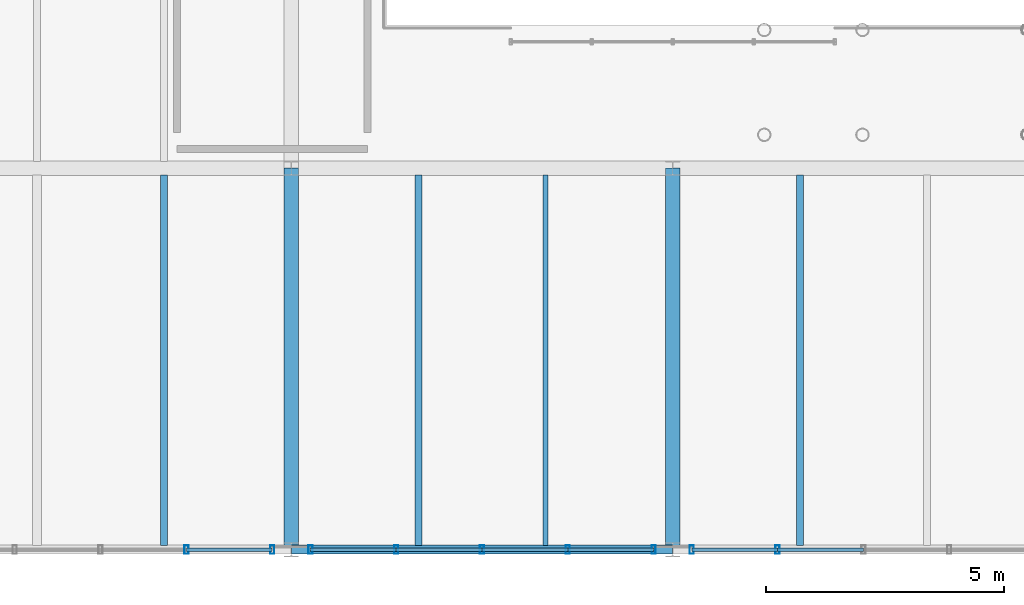
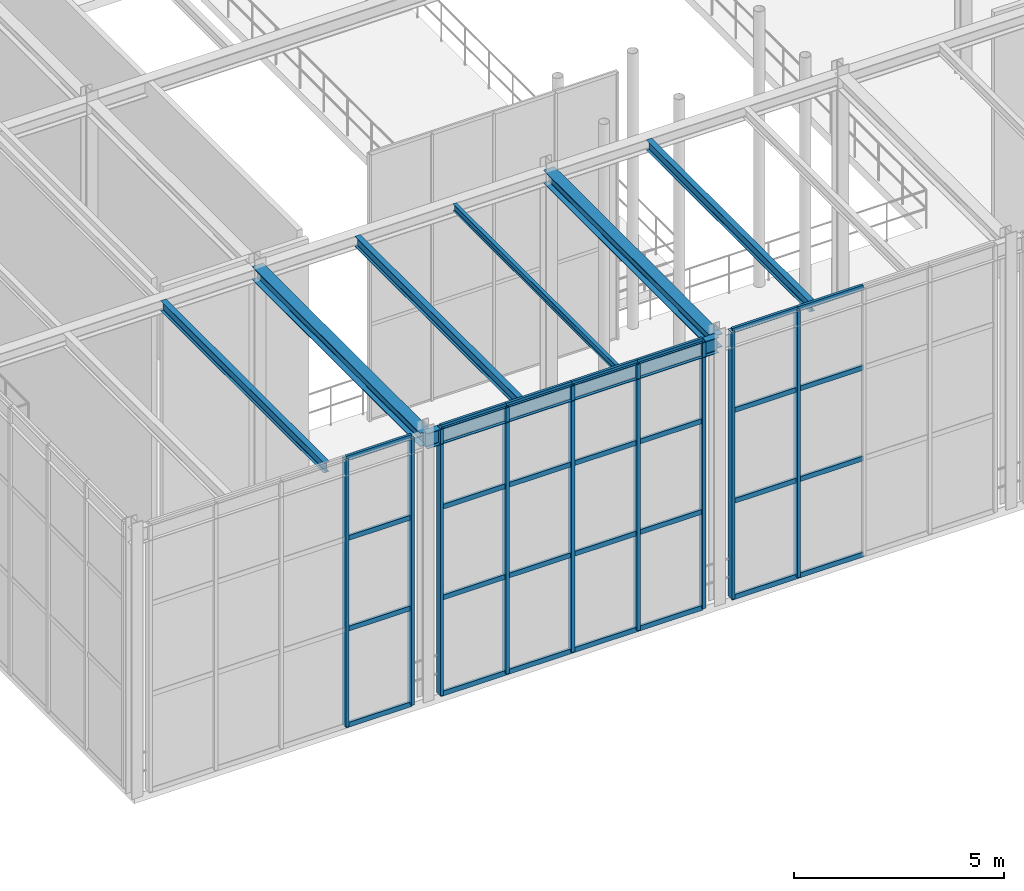
# One storey, part 37 of 138: 37 members, 7 beams, 3 elements without a shape of their own.
"""IFC4 building model written with IfcOpenShell, lengths in metres."""

from ifc_helpers import new_model, si_unit, direction, frame, origin, origin_2d, place, context, subcontext, project, spatial, hollow_rectangle, i_section, extrude, material, material_profile, profile_set, type_object, element, aggregate, save


model = new_model("IFC4")

# Units and contexts
model_context = context("Model", 3, precision=1e-05, world=origin(), true_north=direction((0.0, 1.0)))
body_context = subcontext(model_context, "Body", "Model", "MODEL_VIEW")
ifc_project = project(units=[si_unit("LENGTHUNIT", "METRE"), si_unit("AREAUNIT", "SQUARE_METRE"), si_unit("VOLUMEUNIT", "CUBIC_METRE"), si_unit("PLANEANGLEUNIT", "RADIAN"), si_unit("MASSUNIT", "GRAM", prefix="KILO")], contexts=[model_context])

# Site, building, storey
site_placement = place(None, origin())
site = spatial("IfcSite", under=ifc_project, at=site_placement, CompositionType="ELEMENT")
building_placement = place(site_placement, origin())
building = spatial("IfcBuilding", under=site, at=building_placement, Name="Sundkrona Museum", CompositionType="ELEMENT")
storey_placement = place(building_placement, frame((0.0, 0.0, 9.60009765625)))
storey = spatial("IfcBuildingStorey", under=building, at=storey_placement, Name="L02", CompositionType="ELEMENT", Elevation=9.60009765625)

# Beams
ifc_material_1 = material(Name="Steel S355J2", Category="steel")
ifc_material_profile_1 = material_profile(ifc_material_1, i_section(OverallWidth=0.300048828125, OverallDepth=0.389892578125, WebThickness=0.010986328125, FlangeThickness=0.01904296875, FilletRadius=0.027099609375, at=origin_2d()), Name="HEA 400")
ifc_profile_set_1 = profile_set([ifc_material_profile_1], Name="Steel S355J2")
beam_type_1 = type_object("IfcBeamType", Name="B-HEA400", PredefinedType="BEAM", material=ifc_profile_set_1)
for number, where, z_axis, x_axis, name in (
    (1, (88.0, 0.0, 7.544921875), (0.0, 1.0, 0.0), (-1.0, 0.0, 0.0), "L02 Girder Y-1313"),
    (2, (96.0, 0.0, 7.544921875), (0.0, 1.0, 0.0), (-1.0, 0.0, 0.0), "L02 Girder Y-1317"),
):
    element("IfcBeam", number, at=place(storey_placement, frame(where, z_axis=z_axis, x_axis=x_axis)), inside=storey, type_object=beam_type_1, Name=name, PredefinedType="BEAM", context=body_context, shape_type="SweptSolid", body=[
        extrude(i_section(OverallWidth=0.300048828125, OverallDepth=0.389892578125, WebThickness=0.010986328125, FlangeThickness=0.01904296875, FilletRadius=0.027099609375, at=origin_2d()), origin(), (0.0, 0.0, 1.0), 8.0),
    ])
ifc_material_profile_2 = material_profile(ifc_material_1, i_section(OverallWidth=0.10009765625, OverallDepth=0.199951171875, WebThickness=0.005615234375, FlangeThickness=0.008544921875, FilletRadius=0.011962890625, at=origin_2d()), Name="IPE 200")
ifc_profile_set_2 = profile_set([ifc_material_profile_2], Name="Steel S355J2")
beam_type_2 = type_object("IfcBeamType", Name="J-IPE200", PredefinedType="JOIST", material=ifc_profile_set_2)
beam_1_placement = place(storey_placement, frame((93.333251953125, 0.089111328125, 7.639892578125), z_axis=(0.0, 1.0, 0.0), x_axis=(-1.0, 0.0, 0.0)))
element("IfcBeam", 3, at=beam_1_placement, inside=storey, type_object=beam_type_2, Name="L02 Composite Joist 0840", PredefinedType="JOIST", context=body_context, shape_type="SweptSolid", body=[
    extrude(i_section(OverallWidth=0.10009765625, OverallDepth=0.199951171875, WebThickness=0.005615234375, FlangeThickness=0.008544921875, FilletRadius=0.011962890625, at=origin_2d()), origin(), (0.0, 0.0, 1.0), 7.766845703125),
])
ifc_material_profile_3 = material_profile(ifc_material_1, i_section(OverallWidth=0.14990234375, OverallDepth=0.300048828125, WebThickness=0.007080078125, FlangeThickness=0.0107421875, FilletRadius=0.014892578125, at=origin_2d()), Name="IPE 300")
ifc_profile_set_3 = profile_set([ifc_material_profile_3], Name="Steel S355J2")
beam_type_3 = type_object("IfcBeamType", Name="J-IPE300", PredefinedType="JOIST", material=ifc_profile_set_3)
for number, where, z_axis, x_axis, name in (
    (4, (85.333251953125, 0.089111328125, 7.58984375), (0.0, 1.0, 0.0), (-1.0, 0.0, 0.0), "L02 Composite Joist 0831"),
    (5, (90.666748046875, 0.089111328125, 7.58984375), (0.0, 1.0, 0.0), (-1.0, 0.0, 0.0), "L02 Composite Joist 0839"),
    (6, (98.666748046875, 0.089111328125, 7.58984375), (0.0, 1.0, 0.0), (-1.0, 0.0, 0.0), "L02 Composite Joist 0843"),
):
    element("IfcBeam", number, at=place(storey_placement, frame(where, z_axis=z_axis, x_axis=x_axis)), inside=storey, type_object=beam_type_3, Name=name, PredefinedType="JOIST", context=body_context, shape_type="SweptSolid", body=[
        extrude(i_section(OverallWidth=0.14990234375, OverallDepth=0.300048828125, WebThickness=0.007080078125, FlangeThickness=0.0107421875, FilletRadius=0.014892578125, at=origin_2d()), origin(), (0.0, 0.0, 1.0), 7.766845703125),
    ])

# Curtain wall, members
ifc_material_2 = material(Name="Unitised Aluminium-Steel and Ceramic-Clad Curtain Walling", Category="steel")
curtain_wall_type = type_object("IfcCurtainWallType", Name="CW-AT-72x74", PredefinedType="NOTDEFINED", material=ifc_material_2)
curtain_wall_1_placement = place(storey_placement, origin())
curtain_wall_1 = element("IfcCurtainWall", 7, at=curtain_wall_1_placement, inside=storey, type_object=curtain_wall_type, Name="L02 Curtain Wall CW-L02-043", PredefinedType="NOTDEFINED")
ifc_material_3 = material(Name="Aluminium EN AW-6060 T66", Category="aluminium")
ifc_material_profile_4 = material_profile(ifc_material_3, hollow_rectangle(XDim=0.090087890625, YDim=0.179931640625, WallThickness=0.00634765625, at=origin_2d()), Name="RHS 180x90x6.3")
ifc_profile_set_4 = profile_set([ifc_material_profile_4], Name="Aluminium EN AW-6060 T66")
member_type_1 = type_object("IfcMemberType", Name="ML-180", PredefinedType="MULLION", material=ifc_profile_set_4)
member_1_placement = place(storey_placement, frame((85.800048828125, 0.0, -0.004150390625), z_axis=(0.0, 0.0, 1.0), x_axis=(1.0, 0.0, 0.0)))
member_1 = element("IfcMember", 8, at=member_1_placement, type_object=member_type_1, Name="CW-L02-043 Mullion 04", PredefinedType="MULLION", context=body_context, shape_type="SweptSolid", body=[
    extrude(hollow_rectangle(XDim=0.090087890625, YDim=0.179931640625, WallThickness=0.00634765625, at=origin_2d()), origin(), (0.0, 0.0, 1.0), 7.748046875),
])
member_2_placement = place(storey_placement, frame((87.60009765625, 0.0, -0.004150390625), z_axis=(0.0, 0.0, 1.0), x_axis=(1.0, 0.0, 0.0)))
member_2 = element("IfcMember", 9, at=member_2_placement, type_object=member_type_1, Name="CW-L02-043 Mullion 05", PredefinedType="MULLION", context=body_context, shape_type="SweptSolid", body=[
    extrude(hollow_rectangle(XDim=0.090087890625, YDim=0.179931640625, WallThickness=0.00634765625, at=origin_2d()), origin(), (0.0, 0.0, 1.0), 7.748046875),
])

curtain_wall_2_placement = place(storey_placement, origin())
curtain_wall_2 = element("IfcCurtainWall", 10, at=curtain_wall_2_placement, inside=storey, type_object=curtain_wall_type, Name="L02 Curtain Wall CW-L02-044", PredefinedType="NOTDEFINED")
member_3_placement = place(storey_placement, frame((88.39990234375, 0.0, -0.004150390625), z_axis=(0.0, 0.0, 1.0), x_axis=(1.0, 0.0, 0.0)))
member_3 = element("IfcMember", 11, at=member_3_placement, type_object=member_type_1, Name="CW-L02-044 Mullion 01", PredefinedType="MULLION", context=body_context, shape_type="SweptSolid", body=[
    extrude(hollow_rectangle(XDim=0.090087890625, YDim=0.179931640625, WallThickness=0.00634765625, at=origin_2d()), origin(), (0.0, 0.0, 1.0), 7.748046875),
])
member_4_placement = place(storey_placement, frame((90.199951171875, 0.0, -0.004150390625), z_axis=(0.0, 0.0, 1.0), x_axis=(1.0, 0.0, 0.0)))
member_4 = element("IfcMember", 12, at=member_4_placement, type_object=member_type_1, Name="CW-L02-044 Mullion 02", PredefinedType="MULLION", context=body_context, shape_type="SweptSolid", body=[
    extrude(hollow_rectangle(XDim=0.090087890625, YDim=0.179931640625, WallThickness=0.00634765625, at=origin_2d()), origin(), (0.0, 0.0, 1.0), 7.748046875),
])
member_5_placement = place(storey_placement, frame((92.0, 0.0, -0.004150390625), z_axis=(0.0, 0.0, 1.0), x_axis=(1.0, 0.0, 0.0)))
member_5 = element("IfcMember", 13, at=member_5_placement, type_object=member_type_1, Name="CW-L02-044 Mullion 03", PredefinedType="MULLION", context=body_context, shape_type="SweptSolid", body=[
    extrude(hollow_rectangle(XDim=0.090087890625, YDim=0.179931640625, WallThickness=0.00634765625, at=origin_2d()), origin(), (0.0, 0.0, 1.0), 7.748046875),
])
member_6_placement = place(storey_placement, frame((93.800048828125, 0.0, -0.004150390625), z_axis=(0.0, 0.0, 1.0), x_axis=(1.0, 0.0, 0.0)))
member_6 = element("IfcMember", 14, at=member_6_placement, type_object=member_type_1, Name="CW-L02-044 Mullion 04", PredefinedType="MULLION", context=body_context, shape_type="SweptSolid", body=[
    extrude(hollow_rectangle(XDim=0.090087890625, YDim=0.179931640625, WallThickness=0.00634765625, at=origin_2d()), origin(), (0.0, 0.0, 1.0), 7.748046875),
])
member_7_placement = place(storey_placement, frame((95.60009765625, 0.0, -0.004150390625), z_axis=(0.0, 0.0, 1.0), x_axis=(1.0, 0.0, 0.0)))
member_7 = element("IfcMember", 15, at=member_7_placement, type_object=member_type_1, Name="CW-L02-044 Mullion 05", PredefinedType="MULLION", context=body_context, shape_type="SweptSolid", body=[
    extrude(hollow_rectangle(XDim=0.090087890625, YDim=0.179931640625, WallThickness=0.00634765625, at=origin_2d()), origin(), (0.0, 0.0, 1.0), 7.748046875),
])

curtain_wall_3_placement = place(storey_placement, origin())
curtain_wall_3 = element("IfcCurtainWall", 16, at=curtain_wall_3_placement, inside=storey, type_object=curtain_wall_type, Name="L02 Curtain Wall CW-L02-045", PredefinedType="NOTDEFINED")
member_8_placement = place(storey_placement, frame((96.39990234375, 0.0, -0.004150390625), z_axis=(0.0, 0.0, 1.0), x_axis=(1.0, 0.0, 0.0)))
member_8 = element("IfcMember", 17, at=member_8_placement, type_object=member_type_1, Name="CW-L02-045 Mullion 01", PredefinedType="MULLION", context=body_context, shape_type="SweptSolid", body=[
    extrude(hollow_rectangle(XDim=0.090087890625, YDim=0.179931640625, WallThickness=0.00634765625, at=origin_2d()), origin(), (0.0, 0.0, 1.0), 7.748046875),
])
member_9_placement = place(storey_placement, frame((98.199951171875, 0.0, -0.004150390625), z_axis=(0.0, 0.0, 1.0), x_axis=(1.0, 0.0, 0.0)))
member_9 = element("IfcMember", 18, at=member_9_placement, type_object=member_type_1, Name="CW-L02-045 Mullion 02", PredefinedType="MULLION", context=body_context, shape_type="SweptSolid", body=[
    extrude(hollow_rectangle(XDim=0.090087890625, YDim=0.179931640625, WallThickness=0.00634765625, at=origin_2d()), origin(), (0.0, 0.0, 1.0), 7.748046875),
])

# Beam
ifc_material_profile_5 = material_profile(ifc_material_1, i_section(OverallWidth=0.18994140625, OverallDepth=0.449951171875, WebThickness=0.009521484375, FlangeThickness=0.0146484375, FilletRadius=0.02099609375, at=origin_2d()), Name="IPE 450")
ifc_profile_set_5 = profile_set([ifc_material_profile_5], Name="Steel S355J2")
beam_type_4 = type_object("IfcBeamType", Name="SP-IPE450", PredefinedType="SPANDREL", material=ifc_profile_set_5)
beam_2_placement = place(storey_placement, frame((88.0, 0.0, 7.514892578125), z_axis=(1.0, 0.0, 0.0), x_axis=(0.0, 1.0, 0.0)))
element("IfcBeam", 19, at=beam_2_placement, inside=storey, type_object=beam_type_4, Name="L02 Girder X-1123", PredefinedType="SPANDREL", context=body_context, shape_type="SweptSolid", body=[
    extrude(i_section(OverallWidth=0.18994140625, OverallDepth=0.449951171875, WebThickness=0.009521484375, FlangeThickness=0.0146484375, FilletRadius=0.02099609375, at=origin_2d()), origin(), (0.0, 0.0, 1.0), 8.0),
])

# Member
ifc_material_profile_6 = material_profile(ifc_material_3, hollow_rectangle(XDim=0.070068359375, YDim=0.139892578125, WallThickness=0.0048828125, at=origin_2d()), Name="RHS 140x70x5.0")
ifc_profile_set_6 = profile_set([ifc_material_profile_6], Name="Aluminium EN AW-6060 T66")
member_type_2 = type_object("IfcMemberType", Name="TR-140", PredefinedType="USERDEFINED", material=ifc_profile_set_6)
member_10_placement = place(storey_placement, frame((85.800048828125, 0.0, -0.004150390625), z_axis=(1.0, 0.0, 0.0), x_axis=(0.0, 1.0, 0.0)))
member_10 = element("IfcMember", 20, at=member_10_placement, type_object=member_type_2, Name="CW-L02-043 Transom 13", ObjectType="TRANSOM", PredefinedType="USERDEFINED", context=body_context, shape_type="SweptSolid", body=[
    extrude(hollow_rectangle(XDim=0.070068359375, YDim=0.139892578125, WallThickness=0.0048828125, at=origin_2d()), origin(), (0.0, 0.0, 1.0), 1.800048828125),
])

member_11_placement = place(storey_placement, frame((85.800048828125, 0.0, 2.785888671875), z_axis=(1.0, 0.0, 0.0), x_axis=(0.0, 1.0, 0.0)))
member_11 = element("IfcMember", 21, at=member_11_placement, type_object=member_type_2, Name="CW-L02-043 Transom 14", ObjectType="TRANSOM", PredefinedType="USERDEFINED", context=body_context, shape_type="SweptSolid", body=[
    extrude(hollow_rectangle(XDim=0.070068359375, YDim=0.139892578125, WallThickness=0.0048828125, at=origin_2d()), origin(), (0.0, 0.0, 1.0), 1.800048828125),
])

member_12_placement = place(storey_placement, frame((85.800048828125, 0.0, 5.41796875), z_axis=(1.0, 0.0, 0.0), x_axis=(0.0, 1.0, 0.0)))
member_12 = element("IfcMember", 22, at=member_12_placement, type_object=member_type_2, Name="CW-L02-043 Transom 15", ObjectType="TRANSOM", PredefinedType="USERDEFINED", context=body_context, shape_type="SweptSolid", body=[
    extrude(hollow_rectangle(XDim=0.070068359375, YDim=0.139892578125, WallThickness=0.0048828125, at=origin_2d()), origin(), (0.0, 0.0, 1.0), 1.800048828125),
])

member_13_placement = place(storey_placement, frame((85.800048828125, 0.0, 7.743896484375), z_axis=(1.0, 0.0, 0.0), x_axis=(0.0, 1.0, 0.0)))
member_13 = element("IfcMember", 23, at=member_13_placement, type_object=member_type_2, Name="CW-L02-043 Transom 16", ObjectType="TRANSOM", PredefinedType="USERDEFINED", context=body_context, shape_type="SweptSolid", body=[
    extrude(hollow_rectangle(XDim=0.070068359375, YDim=0.139892578125, WallThickness=0.0048828125, at=origin_2d()), origin(), (0.0, 0.0, 1.0), 1.800048828125),
])

aggregate(curtain_wall_1, [member_1, member_2, member_10, member_11, member_12, member_13])

member_14_placement = place(storey_placement, frame((88.39990234375, 0.0, -0.004150390625), z_axis=(1.0, 0.0, 0.0), x_axis=(0.0, 1.0, 0.0)))
member_14 = element("IfcMember", 24, at=member_14_placement, type_object=member_type_2, Name="CW-L02-044 Transom 01", ObjectType="TRANSOM", PredefinedType="USERDEFINED", context=body_context, shape_type="SweptSolid", body=[
    extrude(hollow_rectangle(XDim=0.070068359375, YDim=0.139892578125, WallThickness=0.0048828125, at=origin_2d()), origin(), (0.0, 0.0, 1.0), 1.800048828125),
])

member_15_placement = place(storey_placement, frame((88.39990234375, 0.0, 2.785888671875), z_axis=(1.0, 0.0, 0.0), x_axis=(0.0, 1.0, 0.0)))
member_15 = element("IfcMember", 25, at=member_15_placement, type_object=member_type_2, Name="CW-L02-044 Transom 02", ObjectType="TRANSOM", PredefinedType="USERDEFINED", context=body_context, shape_type="SweptSolid", body=[
    extrude(hollow_rectangle(XDim=0.070068359375, YDim=0.139892578125, WallThickness=0.0048828125, at=origin_2d()), origin(), (0.0, 0.0, 1.0), 1.800048828125),
])

member_16_placement = place(storey_placement, frame((88.39990234375, 0.0, 5.41796875), z_axis=(1.0, 0.0, 0.0), x_axis=(0.0, 1.0, 0.0)))
member_16 = element("IfcMember", 26, at=member_16_placement, type_object=member_type_2, Name="CW-L02-044 Transom 03", ObjectType="TRANSOM", PredefinedType="USERDEFINED", context=body_context, shape_type="SweptSolid", body=[
    extrude(hollow_rectangle(XDim=0.070068359375, YDim=0.139892578125, WallThickness=0.0048828125, at=origin_2d()), origin(), (0.0, 0.0, 1.0), 1.800048828125),
])

member_17_placement = place(storey_placement, frame((88.39990234375, 0.0, 7.743896484375), z_axis=(1.0, 0.0, 0.0), x_axis=(0.0, 1.0, 0.0)))
member_17 = element("IfcMember", 27, at=member_17_placement, type_object=member_type_2, Name="CW-L02-044 Transom 04", ObjectType="TRANSOM", PredefinedType="USERDEFINED", context=body_context, shape_type="SweptSolid", body=[
    extrude(hollow_rectangle(XDim=0.070068359375, YDim=0.139892578125, WallThickness=0.0048828125, at=origin_2d()), origin(), (0.0, 0.0, 1.0), 1.800048828125),
])

member_18_placement = place(storey_placement, frame((90.199951171875, 0.0, -0.004150390625), z_axis=(1.0, 0.0, 0.0), x_axis=(0.0, 1.0, 0.0)))
member_18 = element("IfcMember", 28, at=member_18_placement, type_object=member_type_2, Name="CW-L02-044 Transom 05", ObjectType="TRANSOM", PredefinedType="USERDEFINED", context=body_context, shape_type="SweptSolid", body=[
    extrude(hollow_rectangle(XDim=0.070068359375, YDim=0.139892578125, WallThickness=0.0048828125, at=origin_2d()), origin(), (0.0, 0.0, 1.0), 1.800048828125),
])

member_19_placement = place(storey_placement, frame((90.199951171875, 0.0, 2.785888671875), z_axis=(1.0, 0.0, 0.0), x_axis=(0.0, 1.0, 0.0)))
member_19 = element("IfcMember", 29, at=member_19_placement, type_object=member_type_2, Name="CW-L02-044 Transom 06", ObjectType="TRANSOM", PredefinedType="USERDEFINED", context=body_context, shape_type="SweptSolid", body=[
    extrude(hollow_rectangle(XDim=0.070068359375, YDim=0.139892578125, WallThickness=0.0048828125, at=origin_2d()), origin(), (0.0, 0.0, 1.0), 1.800048828125),
])

member_20_placement = place(storey_placement, frame((90.199951171875, 0.0, 5.41796875), z_axis=(1.0, 0.0, 0.0), x_axis=(0.0, 1.0, 0.0)))
member_20 = element("IfcMember", 30, at=member_20_placement, type_object=member_type_2, Name="CW-L02-044 Transom 07", ObjectType="TRANSOM", PredefinedType="USERDEFINED", context=body_context, shape_type="SweptSolid", body=[
    extrude(hollow_rectangle(XDim=0.070068359375, YDim=0.139892578125, WallThickness=0.0048828125, at=origin_2d()), origin(), (0.0, 0.0, 1.0), 1.800048828125),
])

member_21_placement = place(storey_placement, frame((90.199951171875, 0.0, 7.743896484375), z_axis=(1.0, 0.0, 0.0), x_axis=(0.0, 1.0, 0.0)))
member_21 = element("IfcMember", 31, at=member_21_placement, type_object=member_type_2, Name="CW-L02-044 Transom 08", ObjectType="TRANSOM", PredefinedType="USERDEFINED", context=body_context, shape_type="SweptSolid", body=[
    extrude(hollow_rectangle(XDim=0.070068359375, YDim=0.139892578125, WallThickness=0.0048828125, at=origin_2d()), origin(), (0.0, 0.0, 1.0), 1.800048828125),
])

member_22_placement = place(storey_placement, frame((92.0, 0.0, -0.004150390625), z_axis=(1.0, 0.0, 0.0), x_axis=(0.0, 1.0, 0.0)))
member_22 = element("IfcMember", 32, at=member_22_placement, type_object=member_type_2, Name="CW-L02-044 Transom 09", ObjectType="TRANSOM", PredefinedType="USERDEFINED", context=body_context, shape_type="SweptSolid", body=[
    extrude(hollow_rectangle(XDim=0.070068359375, YDim=0.139892578125, WallThickness=0.0048828125, at=origin_2d()), origin(), (0.0, 0.0, 1.0), 1.800048828125),
])

member_23_placement = place(storey_placement, frame((92.0, 0.0, 2.785888671875), z_axis=(1.0, 0.0, 0.0), x_axis=(0.0, 1.0, 0.0)))
member_23 = element("IfcMember", 33, at=member_23_placement, type_object=member_type_2, Name="CW-L02-044 Transom 10", ObjectType="TRANSOM", PredefinedType="USERDEFINED", context=body_context, shape_type="SweptSolid", body=[
    extrude(hollow_rectangle(XDim=0.070068359375, YDim=0.139892578125, WallThickness=0.0048828125, at=origin_2d()), origin(), (0.0, 0.0, 1.0), 1.800048828125),
])

member_24_placement = place(storey_placement, frame((92.0, 0.0, 5.41796875), z_axis=(1.0, 0.0, 0.0), x_axis=(0.0, 1.0, 0.0)))
member_24 = element("IfcMember", 34, at=member_24_placement, type_object=member_type_2, Name="CW-L02-044 Transom 11", ObjectType="TRANSOM", PredefinedType="USERDEFINED", context=body_context, shape_type="SweptSolid", body=[
    extrude(hollow_rectangle(XDim=0.070068359375, YDim=0.139892578125, WallThickness=0.0048828125, at=origin_2d()), origin(), (0.0, 0.0, 1.0), 1.800048828125),
])

member_25_placement = place(storey_placement, frame((92.0, 0.0, 7.743896484375), z_axis=(1.0, 0.0, 0.0), x_axis=(0.0, 1.0, 0.0)))
member_25 = element("IfcMember", 35, at=member_25_placement, type_object=member_type_2, Name="CW-L02-044 Transom 12", ObjectType="TRANSOM", PredefinedType="USERDEFINED", context=body_context, shape_type="SweptSolid", body=[
    extrude(hollow_rectangle(XDim=0.070068359375, YDim=0.139892578125, WallThickness=0.0048828125, at=origin_2d()), origin(), (0.0, 0.0, 1.0), 1.800048828125),
])

member_26_placement = place(storey_placement, frame((93.800048828125, 0.0, -0.004150390625), z_axis=(1.0, 0.0, 0.0), x_axis=(0.0, 1.0, 0.0)))
member_26 = element("IfcMember", 36, at=member_26_placement, type_object=member_type_2, Name="CW-L02-044 Transom 13", ObjectType="TRANSOM", PredefinedType="USERDEFINED", context=body_context, shape_type="SweptSolid", body=[
    extrude(hollow_rectangle(XDim=0.070068359375, YDim=0.139892578125, WallThickness=0.0048828125, at=origin_2d()), origin(), (0.0, 0.0, 1.0), 1.800048828125),
])

member_27_placement = place(storey_placement, frame((93.800048828125, 0.0, 2.785888671875), z_axis=(1.0, 0.0, 0.0), x_axis=(0.0, 1.0, 0.0)))
member_27 = element("IfcMember", 37, at=member_27_placement, type_object=member_type_2, Name="CW-L02-044 Transom 14", ObjectType="TRANSOM", PredefinedType="USERDEFINED", context=body_context, shape_type="SweptSolid", body=[
    extrude(hollow_rectangle(XDim=0.070068359375, YDim=0.139892578125, WallThickness=0.0048828125, at=origin_2d()), origin(), (0.0, 0.0, 1.0), 1.800048828125),
])

member_28_placement = place(storey_placement, frame((93.800048828125, 0.0, 5.41796875), z_axis=(1.0, 0.0, 0.0), x_axis=(0.0, 1.0, 0.0)))
member_28 = element("IfcMember", 38, at=member_28_placement, type_object=member_type_2, Name="CW-L02-044 Transom 15", ObjectType="TRANSOM", PredefinedType="USERDEFINED", context=body_context, shape_type="SweptSolid", body=[
    extrude(hollow_rectangle(XDim=0.070068359375, YDim=0.139892578125, WallThickness=0.0048828125, at=origin_2d()), origin(), (0.0, 0.0, 1.0), 1.800048828125),
])

member_29_placement = place(storey_placement, frame((93.800048828125, 0.0, 7.743896484375), z_axis=(1.0, 0.0, 0.0), x_axis=(0.0, 1.0, 0.0)))
member_29 = element("IfcMember", 39, at=member_29_placement, type_object=member_type_2, Name="CW-L02-044 Transom 16", ObjectType="TRANSOM", PredefinedType="USERDEFINED", context=body_context, shape_type="SweptSolid", body=[
    extrude(hollow_rectangle(XDim=0.070068359375, YDim=0.139892578125, WallThickness=0.0048828125, at=origin_2d()), origin(), (0.0, 0.0, 1.0), 1.800048828125),
])

aggregate(curtain_wall_2, [member_3, member_4, member_5, member_6, member_7, member_14, member_15, member_16, member_17, member_18, member_19, member_20, member_21, member_22, member_23, member_24, member_25, member_26, member_27, member_28, member_29])

member_30_placement = place(storey_placement, frame((96.39990234375, 0.0, -0.004150390625), z_axis=(1.0, 0.0, 0.0), x_axis=(0.0, 1.0, 0.0)))
member_30 = element("IfcMember", 40, at=member_30_placement, type_object=member_type_2, Name="CW-L02-045 Transom 01", ObjectType="TRANSOM", PredefinedType="USERDEFINED", context=body_context, shape_type="SweptSolid", body=[
    extrude(hollow_rectangle(XDim=0.070068359375, YDim=0.139892578125, WallThickness=0.0048828125, at=origin_2d()), origin(), (0.0, 0.0, 1.0), 1.800048828125),
])

member_31_placement = place(storey_placement, frame((96.39990234375, 0.0, 2.785888671875), z_axis=(1.0, 0.0, 0.0), x_axis=(0.0, 1.0, 0.0)))
member_31 = element("IfcMember", 41, at=member_31_placement, type_object=member_type_2, Name="CW-L02-045 Transom 02", ObjectType="TRANSOM", PredefinedType="USERDEFINED", context=body_context, shape_type="SweptSolid", body=[
    extrude(hollow_rectangle(XDim=0.070068359375, YDim=0.139892578125, WallThickness=0.0048828125, at=origin_2d()), origin(), (0.0, 0.0, 1.0), 1.800048828125),
])

member_32_placement = place(storey_placement, frame((96.39990234375, 0.0, 5.41796875), z_axis=(1.0, 0.0, 0.0), x_axis=(0.0, 1.0, 0.0)))
member_32 = element("IfcMember", 42, at=member_32_placement, type_object=member_type_2, Name="CW-L02-045 Transom 03", ObjectType="TRANSOM", PredefinedType="USERDEFINED", context=body_context, shape_type="SweptSolid", body=[
    extrude(hollow_rectangle(XDim=0.070068359375, YDim=0.139892578125, WallThickness=0.0048828125, at=origin_2d()), origin(), (0.0, 0.0, 1.0), 1.800048828125),
])

member_33_placement = place(storey_placement, frame((96.39990234375, 0.0, 7.743896484375), z_axis=(1.0, 0.0, 0.0), x_axis=(0.0, 1.0, 0.0)))
member_33 = element("IfcMember", 43, at=member_33_placement, type_object=member_type_2, Name="CW-L02-045 Transom 04", ObjectType="TRANSOM", PredefinedType="USERDEFINED", context=body_context, shape_type="SweptSolid", body=[
    extrude(hollow_rectangle(XDim=0.070068359375, YDim=0.139892578125, WallThickness=0.0048828125, at=origin_2d()), origin(), (0.0, 0.0, 1.0), 1.800048828125),
])

member_34_placement = place(storey_placement, frame((98.199951171875, 0.0, -0.004150390625), z_axis=(1.0, 0.0, 0.0), x_axis=(0.0, 1.0, 0.0)))
member_34 = element("IfcMember", 44, at=member_34_placement, type_object=member_type_2, Name="CW-L02-045 Transom 05", ObjectType="TRANSOM", PredefinedType="USERDEFINED", context=body_context, shape_type="SweptSolid", body=[
    extrude(hollow_rectangle(XDim=0.070068359375, YDim=0.139892578125, WallThickness=0.0048828125, at=origin_2d()), origin(), (0.0, 0.0, 1.0), 1.800048828125),
])

member_35_placement = place(storey_placement, frame((98.199951171875, 0.0, 2.785888671875), z_axis=(1.0, 0.0, 0.0), x_axis=(0.0, 1.0, 0.0)))
member_35 = element("IfcMember", 45, at=member_35_placement, type_object=member_type_2, Name="CW-L02-045 Transom 06", ObjectType="TRANSOM", PredefinedType="USERDEFINED", context=body_context, shape_type="SweptSolid", body=[
    extrude(hollow_rectangle(XDim=0.070068359375, YDim=0.139892578125, WallThickness=0.0048828125, at=origin_2d()), origin(), (0.0, 0.0, 1.0), 1.800048828125),
])

member_36_placement = place(storey_placement, frame((98.199951171875, 0.0, 5.41796875), z_axis=(1.0, 0.0, 0.0), x_axis=(0.0, 1.0, 0.0)))
member_36 = element("IfcMember", 46, at=member_36_placement, type_object=member_type_2, Name="CW-L02-045 Transom 07", ObjectType="TRANSOM", PredefinedType="USERDEFINED", context=body_context, shape_type="SweptSolid", body=[
    extrude(hollow_rectangle(XDim=0.070068359375, YDim=0.139892578125, WallThickness=0.0048828125, at=origin_2d()), origin(), (0.0, 0.0, 1.0), 1.800048828125),
])

member_37_placement = place(storey_placement, frame((98.199951171875, 0.0, 7.743896484375), z_axis=(1.0, 0.0, 0.0), x_axis=(0.0, 1.0, 0.0)))
member_37 = element("IfcMember", 47, at=member_37_placement, type_object=member_type_2, Name="CW-L02-045 Transom 08", ObjectType="TRANSOM", PredefinedType="USERDEFINED", context=body_context, shape_type="SweptSolid", body=[
    extrude(hollow_rectangle(XDim=0.070068359375, YDim=0.139892578125, WallThickness=0.0048828125, at=origin_2d()), origin(), (0.0, 0.0, 1.0), 1.800048828125),
])

aggregate(curtain_wall_3, [member_8, member_9, member_30, member_31, member_32, member_33, member_34, member_35, member_36, member_37])

save(model, "model.ifc")
